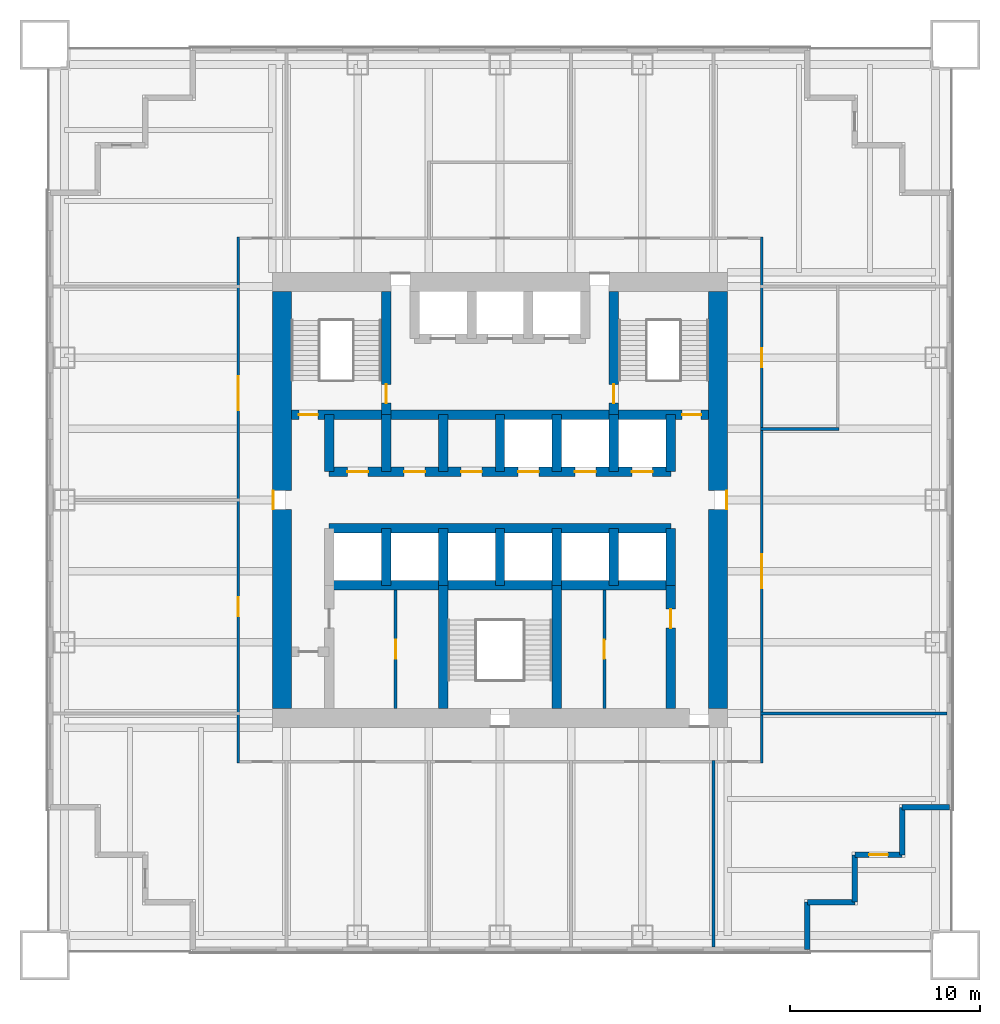
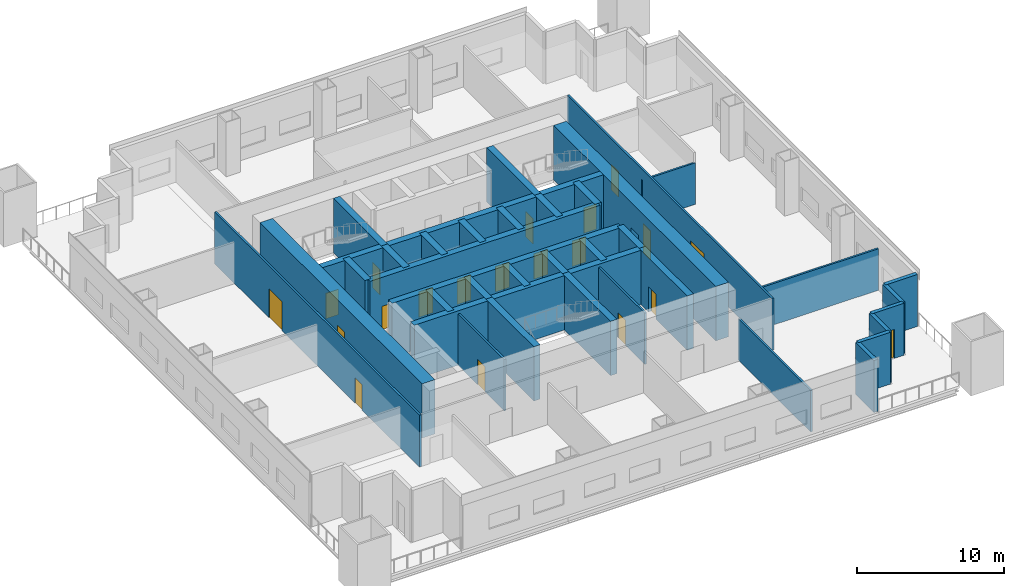
# One storey, part 3 of 7: 37 walls, 20 doors, 20 openings.
"""IFC4 building model written with IfcOpenShell, lengths in metres."""

from ifc_helpers import new_model, si_unit, direction, frame, frame_2d, origin, place, context, subcontext, project, spatial, rectangle, extrude, material, layer, layer_set, type_object, element, fill, save


model = new_model("IFC4")

# Units and contexts
model_context = context("Model", 3, precision=1e-05, world=origin(), true_north=direction((0.0, 1.0)))
body_context = subcontext(model_context, "Body", "Model", "MODEL_VIEW")
ifc_project = project(units=[si_unit("LENGTHUNIT", "METRE"), si_unit("AREAUNIT", "SQUARE_METRE"), si_unit("VOLUMEUNIT", "CUBIC_METRE"), si_unit("PLANEANGLEUNIT", "RADIAN"), si_unit("MASSUNIT", "GRAM", prefix="KILO")], contexts=[model_context])

# Site, building, storey
site_placement = place(None, origin())
site = spatial("IfcSite", under=ifc_project, at=site_placement, CompositionType="ELEMENT")
building_placement = place(site_placement, origin())
building = spatial("IfcBuilding", under=site, at=building_placement, Name="Tarangal Relay Tower", CompositionType="ELEMENT")
storey_placement = place(building_placement, frame((0.0, 0.0, 131.39990234375)))
storey = spatial("IfcBuildingStorey", under=building, at=storey_placement, Name="L26", CompositionType="ELEMENT", Elevation=131.39990234375)

# Wall, openings, doors
ifc_material_1 = material(Name="Concrete fc' 60 MPa", Category="concrete")
ifc_layer_1 = layer(ifc_material_1, 0.5)
ifc_layer_set_1 = layer_set([ifc_layer_1], Name="Core inner wall 500")
wall_type_1 = type_object("IfcWallType", Name="Core inner wall 500", PredefinedType="SHEAR", material=ifc_layer_set_1)
wall_1_placement = place(storey_placement, frame((-11.0, 4.5, 0.0), z_axis=(0.0, 0.0, 1.0), x_axis=(1.0, 0.0, 0.0)))
wall_1 = element("IfcWall", 1, at=wall_1_placement, inside=storey, type_object=wall_type_1, Name="Core wall Y45 L26", PredefinedType="SHEAR", context=body_context, shape_type="SweptSolid", body=[
    extrude(rectangle(XDim=22.0, YDim=0.5, at=frame_2d((11.0, 0.0))), origin(), (0.0, 0.0, 1.0), 4.5),
])
opening_1_placement = place(wall_1_placement, frame((0.39990234375, 0.0, 0.0)))
opening_1 = element("IfcOpeningElement", 2, at=opening_1_placement, cuts=wall_1, Name="Opening FD1", PredefinedType="OPENING", context=body_context, shape_type="SweptSolid", body=[
    extrude(rectangle(XDim=1.0, YDim=2.10009765625, at=frame_2d((0.5, 1.050048828125))), frame((0.0, 0.260009765625, 0.0), z_axis=(0.0, -1.0, 0.0), x_axis=(1.0, 0.0, 0.0)), (0.0, 0.0, 1.0), 0.52001953125),
])
opening_2_placement = place(wall_1_placement, frame((20.60009765625, 0.0, 0.0)))
opening_2 = element("IfcOpeningElement", 3, at=opening_2_placement, cuts=wall_1, Name="Opening FD1", PredefinedType="OPENING", context=body_context, shape_type="SweptSolid", body=[
    extrude(rectangle(XDim=1.0, YDim=2.10009765625, at=frame_2d((0.5, 1.050048828125))), frame((0.0, 0.260009765625, 0.0), z_axis=(0.0, -1.0, 0.0), x_axis=(1.0, 0.0, 0.0)), (0.0, 0.0, 1.0), 0.52001953125),
])
ifc_material_2 = material(Name="Steel door with hardwood frame", Category="steel")
door_type_1 = type_object("IfcDoorType", Name="Fire door 1000 x 2100", OperationType="SINGLE_SWING_LEFT", PredefinedType="DOOR", material=ifc_material_2)
door_1_placement = place(opening_1_placement, origin())
door_1 = element("IfcDoor", 4, at=door_1_placement, inside=storey, type_object=door_type_1, Name="Stair ST-A door from corridor L26", OperationType="SINGLE_SWING_LEFT", OverallHeight=2.10009765625, OverallWidth=1.0, PredefinedType="DOOR", context=body_context, shape_type="SweptSolid", body=[
    extrude(rectangle(XDim=1.0, YDim=2.10009765625, at=frame_2d((0.5, 1.050048828125))), frame((0.0, 0.02490234375, 0.0), z_axis=(0.0, -1.0, 0.0), x_axis=(1.0, 0.0, 0.0)), (0.0, 0.0, 1.0), 0.050048828125),
])
fill(opening_1, door_1)
door_2_placement = place(opening_2_placement, origin())
door_2 = element("IfcDoor", 5, at=door_2_placement, inside=storey, type_object=door_type_1, Name="Stair ST-B door from corridor L26", OperationType="SINGLE_SWING_LEFT", OverallHeight=2.10009765625, OverallWidth=1.0, PredefinedType="DOOR", context=body_context, shape_type="SweptSolid", body=[
    extrude(rectangle(XDim=1.0, YDim=2.10009765625, at=frame_2d((0.5, 1.050048828125))), frame((0.0, 0.02490234375, 0.0), z_axis=(0.0, -1.0, 0.0), x_axis=(1.0, 0.0, 0.0)), (0.0, 0.0, 1.0), 0.050048828125),
])
fill(opening_2, door_2)

wall_2_placement = place(storey_placement, frame((-9.0, 1.5, 0.0), z_axis=(0.0, 0.0, 1.0), x_axis=(1.0, 0.0, 0.0)))
wall_2 = element("IfcWall", 6, at=wall_2_placement, inside=storey, type_object=wall_type_1, Name="Core wall Y15 L26", PredefinedType="SHEAR", context=body_context, shape_type="SweptSolid", body=[
    extrude(rectangle(XDim=18.0, YDim=0.5, at=frame_2d((9.0, 0.0))), origin(), (0.0, 0.0, 1.0), 4.5),
])
opening_3_placement = place(wall_2_placement, frame((9.949951171875, 0.0, 0.0)))
opening_3 = element("IfcOpeningElement", 7, at=opening_3_placement, cuts=wall_2, Name="Opening LD1", PredefinedType="OPENING", context=body_context, shape_type="SweptSolid", body=[
    extrude(rectangle(XDim=1.10009765625, YDim=2.10009765625, at=frame_2d((0.550048828125, 1.050048828125))), frame((0.0, 0.260009765625, 0.0), z_axis=(0.0, -1.0, 0.0), x_axis=(1.0, 0.0, 0.0)), (0.0, 0.0, 1.0), 0.52001953125),
])
opening_4_placement = place(wall_2_placement, frame((12.949951171875, 0.0, 0.0)))
opening_4 = element("IfcOpeningElement", 8, at=opening_4_placement, cuts=wall_2, Name="Opening LD1", PredefinedType="OPENING", context=body_context, shape_type="SweptSolid", body=[
    extrude(rectangle(XDim=1.10009765625, YDim=2.10009765625, at=frame_2d((0.550048828125, 1.050048828125))), frame((0.0, 0.260009765625, 0.0), z_axis=(0.0, -1.0, 0.0), x_axis=(1.0, 0.0, 0.0)), (0.0, 0.0, 1.0), 0.52001953125),
])
opening_5_placement = place(wall_2_placement, frame((15.949951171875, 0.0, 0.0)))
opening_5 = element("IfcOpeningElement", 9, at=opening_5_placement, cuts=wall_2, Name="Opening LD1", PredefinedType="OPENING", context=body_context, shape_type="SweptSolid", body=[
    extrude(rectangle(XDim=1.10009765625, YDim=2.10009765625, at=frame_2d((0.550048828125, 1.050048828125))), frame((0.0, 0.260009765625, 0.0), z_axis=(0.0, -1.0, 0.0), x_axis=(1.0, 0.0, 0.0)), (0.0, 0.0, 1.0), 0.52001953125),
])
opening_6_placement = place(wall_2_placement, frame((0.949951171875, 0.0, 0.0)))
opening_6 = element("IfcOpeningElement", 10, at=opening_6_placement, cuts=wall_2, Name="Opening D4", PredefinedType="OPENING", context=body_context, shape_type="SweptSolid", body=[
    extrude(rectangle(XDim=1.10009765625, YDim=2.10009765625, at=frame_2d((0.550048828125, 1.050048828125))), frame((0.0, 0.260009765625, 0.0), z_axis=(0.0, -1.0, 0.0), x_axis=(1.0, 0.0, 0.0)), (0.0, 0.0, 1.0), 0.52001953125),
])
opening_7_placement = place(wall_2_placement, frame((3.949951171875, 0.0, 0.0)))
opening_7 = element("IfcOpeningElement", 11, at=opening_7_placement, cuts=wall_2, Name="Opening D4", PredefinedType="OPENING", context=body_context, shape_type="SweptSolid", body=[
    extrude(rectangle(XDim=1.10009765625, YDim=2.10009765625, at=frame_2d((0.550048828125, 1.050048828125))), frame((0.0, 0.260009765625, 0.0), z_axis=(0.0, -1.0, 0.0), x_axis=(1.0, 0.0, 0.0)), (0.0, 0.0, 1.0), 0.52001953125),
])
opening_8_placement = place(wall_2_placement, frame((6.949951171875, 0.0, 0.0)))
opening_8 = element("IfcOpeningElement", 12, at=opening_8_placement, cuts=wall_2, Name="Opening D4", PredefinedType="OPENING", context=body_context, shape_type="SweptSolid", body=[
    extrude(rectangle(XDim=1.10009765625, YDim=2.10009765625, at=frame_2d((0.550048828125, 1.050048828125))), frame((0.0, 0.260009765625, 0.0), z_axis=(0.0, -1.0, 0.0), x_axis=(1.0, 0.0, 0.0)), (0.0, 0.0, 1.0), 0.52001953125),
])
door_type_2 = type_object("IfcDoorType", Name="Core room door 1100 x 2100", OperationType="SINGLE_SWING_RIGHT", PredefinedType="DOOR", material=ifc_material_2)
door_3_placement = place(opening_6_placement, origin())
door_3 = element("IfcDoor", 13, at=door_3_placement, inside=storey, type_object=door_type_2, Name="Door D4 to staff wc L26-D1", OperationType="SINGLE_SWING_RIGHT", OverallHeight=2.10009765625, OverallWidth=1.10009765625, PredefinedType="DOOR", context=body_context, shape_type="SweptSolid", body=[
    extrude(rectangle(XDim=1.10009765625, YDim=2.10009765625, at=frame_2d((0.550048828125, 1.050048828125))), frame((0.0, 0.02490234375, 0.0), z_axis=(0.0, -1.0, 0.0), x_axis=(1.0, 0.0, 0.0)), (0.0, 0.0, 1.0), 0.050048828125),
])
fill(opening_6, door_3)
door_4_placement = place(opening_7_placement, origin())
door_4 = element("IfcDoor", 14, at=door_4_placement, inside=storey, type_object=door_type_2, Name="Door D4 to cleaner's store L26-D2", OperationType="SINGLE_SWING_RIGHT", OverallHeight=2.10009765625, OverallWidth=1.10009765625, PredefinedType="DOOR", context=body_context, shape_type="SweptSolid", body=[
    extrude(rectangle(XDim=1.10009765625, YDim=2.10009765625, at=frame_2d((0.550048828125, 1.050048828125))), frame((0.0, 0.02490234375, 0.0), z_axis=(0.0, -1.0, 0.0), x_axis=(1.0, 0.0, 0.0)), (0.0, 0.0, 1.0), 0.050048828125),
])
fill(opening_7, door_4)
door_5_placement = place(opening_8_placement, origin())
door_5 = element("IfcDoor", 15, at=door_5_placement, inside=storey, type_object=door_type_2, Name="Door D4 to it room L26-D3", OperationType="SINGLE_SWING_RIGHT", OverallHeight=2.10009765625, OverallWidth=1.10009765625, PredefinedType="DOOR", context=body_context, shape_type="SweptSolid", body=[
    extrude(rectangle(XDim=1.10009765625, YDim=2.10009765625, at=frame_2d((0.550048828125, 1.050048828125))), frame((0.0, 0.02490234375, 0.0), z_axis=(0.0, -1.0, 0.0), x_axis=(1.0, 0.0, 0.0)), (0.0, 0.0, 1.0), 0.050048828125),
])
fill(opening_8, door_5)
door_type_3 = type_object("IfcDoorType", Name="Lift landing door 1100 x 2100", OperationType="SLIDING_TO_LEFT", PredefinedType="DOOR", material=ifc_material_2)
door_6_placement = place(opening_3_placement, origin())
door_6 = element("IfcDoor", 16, at=door_6_placement, inside=storey, type_object=door_type_3, Name="Lift T1 landing door L26", OperationType="SLIDING_TO_LEFT", OverallHeight=2.10009765625, OverallWidth=1.10009765625, PredefinedType="DOOR", context=body_context, shape_type="SweptSolid", body=[
    extrude(rectangle(XDim=1.10009765625, YDim=2.10009765625, at=frame_2d((0.550048828125, 1.050048828125))), frame((0.0, 0.02490234375, 0.0), z_axis=(0.0, -1.0, 0.0), x_axis=(1.0, 0.0, 0.0)), (0.0, 0.0, 1.0), 0.050048828125),
])
fill(opening_3, door_6)
door_7_placement = place(opening_4_placement, origin())
door_7 = element("IfcDoor", 17, at=door_7_placement, inside=storey, type_object=door_type_3, Name="Lift T2 landing door L26", OperationType="SLIDING_TO_LEFT", OverallHeight=2.10009765625, OverallWidth=1.10009765625, PredefinedType="DOOR", context=body_context, shape_type="SweptSolid", body=[
    extrude(rectangle(XDim=1.10009765625, YDim=2.10009765625, at=frame_2d((0.550048828125, 1.050048828125))), frame((0.0, 0.02490234375, 0.0), z_axis=(0.0, -1.0, 0.0), x_axis=(1.0, 0.0, 0.0)), (0.0, 0.0, 1.0), 0.050048828125),
])
fill(opening_4, door_7)
door_8_placement = place(opening_5_placement, origin())
door_8 = element("IfcDoor", 18, at=door_8_placement, inside=storey, type_object=door_type_3, Name="Lift T3 landing door L26", OperationType="SLIDING_TO_LEFT", OverallHeight=2.10009765625, OverallWidth=1.10009765625, PredefinedType="DOOR", context=body_context, shape_type="SweptSolid", body=[
    extrude(rectangle(XDim=1.10009765625, YDim=2.10009765625, at=frame_2d((0.550048828125, 1.050048828125))), frame((0.0, 0.02490234375, 0.0), z_axis=(0.0, -1.0, 0.0), x_axis=(1.0, 0.0, 0.0)), (0.0, 0.0, 1.0), 0.050048828125),
])
fill(opening_5, door_8)

# Walls
for number, where, z_axis, x_axis, name in (
    (19, (-9.0, -1.5, 0.0), (0.0, 0.0, 1.0), (1.0, 0.0, 0.0), "Core wall YM15 L26"),
    (20, (-9.0, -4.5, 0.0), (0.0, 0.0, 1.0), (1.0, 0.0, 0.0), "Core wall YM45 L26"),
):
    element("IfcWall", number, at=place(storey_placement, frame(where, z_axis=z_axis, x_axis=x_axis)), inside=storey, type_object=wall_type_1, Name=name, PredefinedType="SHEAR", context=body_context, shape_type="SweptSolid", body=[
        extrude(rectangle(XDim=18.0, YDim=0.5, at=frame_2d((9.0, 0.0))), origin(), (0.0, 0.0, 1.0), 4.5),
    ])
for number, where, z_axis, x_axis, name in (
    (21, (-9.0, 1.5, 0.0), (0.0, 0.0, 1.0), (0.0, 1.0, 0.0), "Core wall XM9N L26"),
    (22, (9.0, 1.5, 0.0), (0.0, 0.0, 1.0), (0.0, 1.0, 0.0), "Core wall X9N L26"),
    (23, (9.0, -4.5, 0.0), (0.0, 0.0, 1.0), (0.0, 1.0, 0.0), "Core wall X9S L26"),
    (24, (-6.0, 1.5, 0.0), (0.0, 0.0, 1.0), (0.0, 1.0, 0.0), "Core wall XM6N L26"),
    (25, (-3.0, 1.5, 0.0), (0.0, 0.0, 1.0), (0.0, 1.0, 0.0), "Core wall XM3N L26"),
    (26, (0.0, 1.5, 0.0), (0.0, 0.0, 1.0), (0.0, 1.0, 0.0), "Core wall X0N L26"),
    (27, (3.0, 1.5, 0.0), (0.0, 0.0, 1.0), (0.0, 1.0, 0.0), "Core wall X3N L26"),
    (28, (6.0, 1.5, 0.0), (0.0, 0.0, 1.0), (0.0, 1.0, 0.0), "Core wall X6N L26"),
    (29, (-6.0, -4.5, 0.0), (0.0, 0.0, 1.0), (0.0, 1.0, 0.0), "Core wall XM6S L26"),
    (30, (-3.0, -4.5, 0.0), (0.0, 0.0, 1.0), (0.0, 1.0, 0.0), "Core wall XM3S L26"),
    (31, (0.0, -4.5, 0.0), (0.0, 0.0, 1.0), (0.0, 1.0, 0.0), "Core wall X0S L26"),
    (32, (3.0, -4.5, 0.0), (0.0, 0.0, 1.0), (0.0, 1.0, 0.0), "Core wall X3S L26"),
    (33, (6.0, -4.5, 0.0), (0.0, 0.0, 1.0), (0.0, 1.0, 0.0), "Core wall X6S L26"),
):
    element("IfcWall", number, at=place(storey_placement, frame(where, z_axis=z_axis, x_axis=x_axis)), inside=storey, type_object=wall_type_1, Name=name, PredefinedType="SHEAR", context=body_context, shape_type="SweptSolid", body=[
        extrude(rectangle(XDim=3.0, YDim=0.5, at=frame_2d((1.5, 0.0))), origin(), (0.0, 0.0, 1.0), 4.5),
    ])

# Wall, opening, door
wall_3_placement = place(storey_placement, frame((-6.0, 4.5, 0.0), z_axis=(0.0, 0.0, 1.0), x_axis=(0.0, 1.0, 0.0)))
wall_3 = element("IfcWall", 34, at=wall_3_placement, inside=storey, type_object=wall_type_1, Name="Core wall XM6 L26", PredefinedType="SHEAR", context=body_context, shape_type="SweptSolid", body=[
    extrude(rectangle(XDim=6.5, YDim=0.5, at=frame_2d((3.25, 0.0))), origin(), (0.0, 0.0, 1.0), 4.5),
])
opening_9_placement = place(wall_3_placement, frame((0.60009765625, 0.0, 0.0)))
opening_9 = element("IfcOpeningElement", 35, at=opening_9_placement, cuts=wall_3, Name="Opening FD1", PredefinedType="OPENING", context=body_context, shape_type="SweptSolid", body=[
    extrude(rectangle(XDim=1.0, YDim=2.10009765625, at=frame_2d((0.5, 1.050048828125))), frame((0.0, 0.260009765625, 0.0), z_axis=(0.0, -1.0, 0.0), x_axis=(1.0, 0.0, 0.0)), (0.0, 0.0, 1.0), 0.52001953125),
])
door_9_placement = place(opening_9_placement, origin())
door_9 = element("IfcDoor", 36, at=door_9_placement, inside=storey, type_object=door_type_1, Name="Stair ST-A door from fire-fighting lobby L26", OperationType="SINGLE_SWING_LEFT", OverallHeight=2.10009765625, OverallWidth=1.0, PredefinedType="DOOR", context=body_context, shape_type="SweptSolid", body=[
    extrude(rectangle(XDim=1.0, YDim=2.10009765625, at=frame_2d((0.5, 1.050048828125))), frame((0.0, 0.02490234375, 0.0), z_axis=(0.0, -1.0, 0.0), x_axis=(1.0, 0.0, 0.0)), (0.0, 0.0, 1.0), 0.050048828125),
])
fill(opening_9, door_9)

wall_4_placement = place(storey_placement, frame((6.0, 4.5, 0.0), z_axis=(0.0, 0.0, 1.0), x_axis=(0.0, 1.0, 0.0)))
wall_4 = element("IfcWall", 37, at=wall_4_placement, inside=storey, type_object=wall_type_1, Name="Core wall X6 L26", PredefinedType="SHEAR", context=body_context, shape_type="SweptSolid", body=[
    extrude(rectangle(XDim=6.5, YDim=0.5, at=frame_2d((3.25, 0.0))), origin(), (0.0, 0.0, 1.0), 4.5),
])
opening_10_placement = place(wall_4_placement, frame((0.60009765625, 0.0, 0.0)))
opening_10 = element("IfcOpeningElement", 38, at=opening_10_placement, cuts=wall_4, Name="Opening FD1", PredefinedType="OPENING", context=body_context, shape_type="SweptSolid", body=[
    extrude(rectangle(XDim=1.0, YDim=2.10009765625, at=frame_2d((0.5, 1.050048828125))), frame((0.0, 0.260009765625, 0.0), z_axis=(0.0, -1.0, 0.0), x_axis=(1.0, 0.0, 0.0)), (0.0, 0.0, 1.0), 0.52001953125),
])
door_10_placement = place(opening_10_placement, origin())
door_10 = element("IfcDoor", 39, at=door_10_placement, inside=storey, type_object=door_type_1, Name="Stair ST-B door from fire-fighting lobby L26", OperationType="SINGLE_SWING_LEFT", OverallHeight=2.10009765625, OverallWidth=1.0, PredefinedType="DOOR", context=body_context, shape_type="SweptSolid", body=[
    extrude(rectangle(XDim=1.0, YDim=2.10009765625, at=frame_2d((0.5, 1.050048828125))), frame((0.0, 0.02490234375, 0.0), z_axis=(0.0, -1.0, 0.0), x_axis=(1.0, 0.0, 0.0)), (0.0, 0.0, 1.0), 0.050048828125),
])
fill(opening_10, door_10)

wall_5_placement = place(storey_placement, frame((9.0, -11.0, 0.0), z_axis=(0.0, 0.0, 1.0), x_axis=(0.0, 1.0, 0.0)))
wall_5 = element("IfcWall", 40, at=wall_5_placement, inside=storey, type_object=wall_type_1, Name="Core wall X9W L26", PredefinedType="SHEAR", context=body_context, shape_type="SweptSolid", body=[
    extrude(rectangle(XDim=6.5, YDim=0.5, at=frame_2d((3.25, 0.0))), origin(), (0.0, 0.0, 1.0), 4.5),
])
opening_11_placement = place(wall_5_placement, frame((4.25, 0.0, 0.0)))
opening_11 = element("IfcOpeningElement", 41, at=opening_11_placement, cuts=wall_5, Name="Opening D1", PredefinedType="OPENING", context=body_context, shape_type="SweptSolid", body=[
    extrude(rectangle(XDim=1.0, YDim=2.10009765625, at=frame_2d((0.5, 1.050048828125))), frame((0.0, 0.260009765625, 0.0), z_axis=(0.0, -1.0, 0.0), x_axis=(1.0, 0.0, 0.0)), (0.0, 0.0, 1.0), 0.52001953125),
])
ifc_material_3 = material(Name="Hardwood door", Category="wood")
door_type_4 = type_object("IfcDoorType", Name="WC door 1000 x 2100", OperationType="SINGLE_SWING_LEFT", PredefinedType="DOOR", material=ifc_material_3)
door_11_placement = place(opening_11_placement, origin())
door_11 = element("IfcDoor", 42, at=door_11_placement, inside=storey, type_object=door_type_4, Name="Female WC door L26", OperationType="SINGLE_SWING_LEFT", OverallHeight=2.10009765625, OverallWidth=1.0, PredefinedType="DOOR", context=body_context, shape_type="SweptSolid", body=[
    extrude(rectangle(XDim=1.0, YDim=2.10009765625, at=frame_2d((0.5, 1.050048828125))), frame((0.0, 0.02490234375, 0.0), z_axis=(0.0, -1.0, 0.0), x_axis=(1.0, 0.0, 0.0)), (0.0, 0.0, 1.0), 0.050048828125),
])
fill(opening_11, door_11)

# Walls
for number, where, z_axis, x_axis, name in (
    (43, (-3.0, -11.0, 0.0), (0.0, 0.0, 1.0), (0.0, 1.0, 0.0), "Core wall XM3W L26"),
    (44, (3.0, -11.0, 0.0), (0.0, 0.0, 1.0), (0.0, 1.0, 0.0), "Core wall X3W L26"),
):
    element("IfcWall", number, at=place(storey_placement, frame(where, z_axis=z_axis, x_axis=x_axis)), inside=storey, type_object=wall_type_1, Name=name, PredefinedType="SHEAR", context=body_context, shape_type="SweptSolid", body=[
        extrude(rectangle(XDim=6.5, YDim=0.5, at=frame_2d((3.25, 0.0))), origin(), (0.0, 0.0, 1.0), 4.5),
    ])

# Wall, opening, door
ifc_layer_2 = layer(ifc_material_1, 1.0)
ifc_layer_set_2 = layer_set([ifc_layer_2], Name="Core wall 1000")
wall_type_2 = type_object("IfcWallType", Name="Core wall 1000", PredefinedType="SHEAR", material=ifc_layer_set_2)
wall_6_placement = place(storey_placement, frame((11.5, 11.0, 0.0), z_axis=(0.0, 0.0, 1.0), x_axis=(0.0, -1.0, 0.0)))
wall_6 = element("IfcWall", 45, at=wall_6_placement, inside=storey, type_object=wall_type_2, Name="Core wall E L26", PredefinedType="SHEAR", context=body_context, shape_type="SweptSolid", body=[
    extrude(rectangle(XDim=22.0, YDim=1.0, at=frame_2d((11.0, 0.0))), origin(), (0.0, 0.0, 1.0), 4.5),
])
opening_12_placement = place(wall_6_placement, frame((10.5, 0.0, 0.0)))
opening_12 = element("IfcOpeningElement", 46, at=opening_12_placement, cuts=wall_6, Name="Opening FD3", PredefinedType="OPENING", context=body_context, shape_type="SweptSolid", body=[
    extrude(rectangle(XDim=1.0, YDim=2.39990234375, at=frame_2d((0.5, 1.199951171875))), frame((0.0, 0.510009765625, 0.0), z_axis=(0.0, -1.0, 0.0), x_axis=(1.0, 0.0, 0.0)), (0.0, 0.0, 1.0), 1.02001953125),
])
door_type_5 = type_object("IfcDoorType", Name="Fire door 1000 x 2400 core entry", OperationType="SINGLE_SWING_RIGHT", PredefinedType="DOOR", material=ifc_material_2)
door_12_placement = place(opening_12_placement, origin())
door_12 = element("IfcDoor", 47, at=door_12_placement, inside=storey, type_object=door_type_5, Name="Core entry door east L26", OperationType="SINGLE_SWING_RIGHT", OverallHeight=2.39990234375, OverallWidth=1.0, PredefinedType="DOOR", context=body_context, shape_type="SweptSolid", body=[
    extrude(rectangle(XDim=1.0, YDim=2.39990234375, at=frame_2d((0.5, 1.199951171875))), frame((0.0, 0.48486328125, 0.0), z_axis=(0.0, -1.0, 0.0), x_axis=(1.0, 0.0, 0.0)), (0.0, 0.0, 1.0), 0.050048828125),
])
fill(opening_12, door_12)

wall_7_placement = place(storey_placement, frame((-11.5, -11.0, 0.0), z_axis=(0.0, 0.0, 1.0), x_axis=(0.0, 1.0, 0.0)))
wall_7 = element("IfcWall", 48, at=wall_7_placement, inside=storey, type_object=wall_type_2, Name="Core wall W L26", PredefinedType="SHEAR", context=body_context, shape_type="SweptSolid", body=[
    extrude(rectangle(XDim=22.0, YDim=1.0, at=frame_2d((11.0, 0.0))), origin(), (0.0, 0.0, 1.0), 4.5),
])
opening_13_placement = place(wall_7_placement, frame((10.5, 0.0, 0.0)))
opening_13 = element("IfcOpeningElement", 49, at=opening_13_placement, cuts=wall_7, Name="Opening FD3", PredefinedType="OPENING", context=body_context, shape_type="SweptSolid", body=[
    extrude(rectangle(XDim=1.0, YDim=2.39990234375, at=frame_2d((0.5, 1.199951171875))), frame((0.0, 0.510009765625, 0.0), z_axis=(0.0, -1.0, 0.0), x_axis=(1.0, 0.0, 0.0)), (0.0, 0.0, 1.0), 1.02001953125),
])
door_13_placement = place(opening_13_placement, origin())
door_13 = element("IfcDoor", 50, at=door_13_placement, inside=storey, type_object=door_type_5, Name="Core entry door west L26", OperationType="SINGLE_SWING_RIGHT", OverallHeight=2.39990234375, OverallWidth=1.0, PredefinedType="DOOR", context=body_context, shape_type="SweptSolid", body=[
    extrude(rectangle(XDim=1.0, YDim=2.39990234375, at=frame_2d((0.5, 1.199951171875))), frame((0.0, 0.48486328125, 0.0), z_axis=(0.0, -1.0, 0.0), x_axis=(1.0, 0.0, 0.0)), (0.0, 0.0, 1.0), 0.050048828125),
])
fill(opening_13, door_13)

# Walls
ifc_material_4 = material(Name="Insulated precast concrete fc' 40 MPa", Category="concrete")
ifc_layer_3 = layer(ifc_material_4, 0.300048828125)
ifc_layer_set_3 = layer_set([ifc_layer_3], Name="Insulated precast concrete fc' 40 MPa")
wall_type_3 = type_object("IfcWallType", Name="Facade wall precast 300", PredefinedType="SOLIDWALL", material=ifc_layer_set_3)
for number, where, z_axis, x_axis, name in (
    (51, (23.699951171875, -16.199951171875, 0.0), (0.0, 0.0, 1.0), (-1.0, 0.0, 0.0), "Facade wall E facade L26"),
    (52, (21.199951171875, -16.199951171875, 0.0), (0.0, 0.0, 1.0), (0.0, -1.0, 0.0), "Facade wall E facade L26"),
):
    element("IfcWall", number, at=place(storey_placement, frame(where, z_axis=z_axis, x_axis=x_axis)), inside=storey, type_object=wall_type_3, Name=name, PredefinedType="SOLIDWALL", context=body_context, shape_type="SweptSolid", body=[
        extrude(rectangle(XDim=2.5, YDim=0.300048828125, at=frame_2d((1.25, 0.0))), origin(), (0.0, 0.0, 1.0), 4.300048828125),
    ])

# Wall, opening, door
wall_8_placement = place(storey_placement, frame((21.199951171875, -18.699951171875, 0.0), z_axis=(0.0, 0.0, 1.0), x_axis=(-1.0, 0.0, 0.0)))
wall_8 = element("IfcWall", 53, at=wall_8_placement, inside=storey, type_object=wall_type_3, Name="Facade wall E facade L26", PredefinedType="SOLIDWALL", context=body_context, shape_type="SweptSolid", body=[
    extrude(rectangle(XDim=2.5, YDim=0.300048828125, at=frame_2d((1.25, 0.0))), origin(), (0.0, 0.0, 1.0), 4.300048828125),
])
opening_14_placement = place(wall_8_placement, frame((0.75, 0.0, 0.0)))
opening_14 = element("IfcOpeningElement", 54, at=opening_14_placement, cuts=wall_8, Name="Opening TD1", PredefinedType="OPENING", context=body_context, shape_type="SweptSolid", body=[
    extrude(rectangle(XDim=1.0, YDim=2.39990234375, at=frame_2d((0.5, 1.199951171875))), frame((0.0, 0.159912109375, 0.0), z_axis=(0.0, -1.0, 0.0), x_axis=(1.0, 0.0, 0.0)), (0.0, 0.0, 1.0), 0.320068359375),
])
ifc_material_5 = material(Name="Aluminium glazed door", Category="aluminium")
door_type_6 = type_object("IfcDoorType", Name="Terrace door 1000 x 2400", OperationType="SINGLE_SWING_RIGHT", PredefinedType="DOOR", material=ifc_material_5)
door_14_placement = place(opening_14_placement, origin())
door_14 = element("IfcDoor", 55, at=door_14_placement, inside=storey, type_object=door_type_6, Name="Terrace door TD1 SE L26", OperationType="SINGLE_SWING_RIGHT", OverallHeight=2.39990234375, OverallWidth=1.0, PredefinedType="DOOR", context=body_context, shape_type="SweptSolid", body=[
    extrude(rectangle(XDim=1.0, YDim=2.39990234375, at=frame_2d((0.5, 1.199951171875))), frame((0.0, 0.02490234375, 0.0), z_axis=(0.0, -1.0, 0.0), x_axis=(1.0, 0.0, 0.0)), (0.0, 0.0, 1.0), 0.050048828125),
])
fill(opening_14, door_14)

# Walls
for number, where, z_axis, x_axis, name in (
    (56, (18.699951171875, -18.699951171875, 0.0), (0.0, 0.0, 1.0), (0.0, -1.0, 0.0), "Facade wall E facade L26"),
    (57, (18.699951171875, -21.199951171875, 0.0), (0.0, 0.0, 1.0), (-1.0, 0.0, 0.0), "Facade wall E facade L26"),
    (58, (16.199951171875, -21.199951171875, 0.0), (0.0, 0.0, 1.0), (0.0, -1.0, 0.0), "Facade wall E facade L26"),
):
    element("IfcWall", number, at=place(storey_placement, frame(where, z_axis=z_axis, x_axis=x_axis)), inside=storey, type_object=wall_type_3, Name=name, PredefinedType="SOLIDWALL", context=body_context, shape_type="SweptSolid", body=[
        extrude(rectangle(XDim=2.5, YDim=0.300048828125, at=frame_2d((1.25, 0.0))), origin(), (0.0, 0.0, 1.0), 4.300048828125),
    ])
ifc_material_6 = material(Name="Gypsum board on steel studs", Category="steel")
ifc_layer_4 = layer(ifc_material_6, 0.14990234375)
ifc_layer_set_4 = layer_set([ifc_layer_4], Name="Partition 150")
wall_type_4 = type_object("IfcWallType", Name="Partition 150", PredefinedType="PARTITIONING", material=ifc_layer_set_4)
wall_9_placement = place(storey_placement, frame((13.72509765625, -11.25, 0.0), z_axis=(0.0, 0.0, 1.0), x_axis=(1.0, 0.0, 0.0)))
element("IfcWall", 59, at=wall_9_placement, inside=storey, type_object=wall_type_4, Name="Partition PT1 L26", PredefinedType="PARTITIONING", context=body_context, shape_type="SweptSolid", body=[
    extrude(rectangle(XDim=9.824951171875, YDim=0.14990234375, at=frame_2d((4.91259765625, 0.0))), origin(), (0.0, 0.0, 1.0), 3.431396484375),
])
wall_10_placement = place(storey_placement, frame((13.72509765625, 3.75, 0.0), z_axis=(0.0, 0.0, 1.0), x_axis=(1.0, 0.0, 0.0)))
element("IfcWall", 60, at=wall_10_placement, inside=storey, type_object=wall_type_4, Name="Partition PT1 L26", PredefinedType="PARTITIONING", context=body_context, shape_type="SweptSolid", body=[
    extrude(rectangle(XDim=4.14990234375, YDim=0.14990234375, at=frame_2d((2.074951171875, 0.0))), origin(), (0.0, 0.0, 1.0), 3.431396484375),
])

# Wall, openings, doors
wall_11_placement = place(storey_placement, frame((-13.800048828125, -13.875, 0.0), z_axis=(0.0, 0.0, 1.0), x_axis=(0.0, 1.0, 0.0)))
wall_11 = element("IfcWall", 61, at=wall_11_placement, inside=storey, type_object=wall_type_4, Name="Partition PT1 L26", PredefinedType="PARTITIONING", context=body_context, shape_type="SweptSolid", body=[
    extrude(rectangle(XDim=27.75, YDim=0.14990234375, at=frame_2d((13.875, 0.0))), origin(), (0.0, 0.0, 1.0), 4.300048828125),
])
opening_15_placement = place(wall_11_placement, frame((7.75, 0.0, 0.0)))
opening_15 = element("IfcOpeningElement", 62, at=opening_15_placement, cuts=wall_11, Name="Opening D2", PredefinedType="OPENING", context=body_context, shape_type="SweptSolid", body=[
    extrude(rectangle(XDim=1.0, YDim=2.10009765625, at=frame_2d((0.5, 1.050048828125))), frame((0.0, 0.0849609375, 0.0), z_axis=(0.0, -1.0, 0.0), x_axis=(1.0, 0.0, 0.0)), (0.0, 0.0, 1.0), 0.169921875),
])
opening_16_placement = place(wall_11_placement, frame((18.60009765625, 0.0, 0.0)))
opening_16 = element("IfcOpeningElement", 63, at=opening_16_placement, cuts=wall_11, Name="Opening DD1", PredefinedType="OPENING", context=body_context, shape_type="SweptSolid", body=[
    extrude(rectangle(XDim=1.800048828125, YDim=2.39990234375, at=frame_2d((0.89990234375, 1.199951171875))), frame((0.0, 0.0849609375, 0.0), z_axis=(0.0, -1.0, 0.0), x_axis=(1.0, 0.0, 0.0)), (0.0, 0.0, 1.0), 0.169921875),
])
door_type_7 = type_object("IfcDoorType", Name="Door 1000 x 2100", OperationType="SINGLE_SWING_LEFT", PredefinedType="DOOR", material=ifc_material_3)
door_15_placement = place(opening_15_placement, origin())
door_15 = element("IfcDoor", 64, at=door_15_placement, inside=storey, type_object=door_type_7, Name="Door D2 to test lab L26-10", OperationType="SINGLE_SWING_LEFT", OverallHeight=2.10009765625, OverallWidth=1.0, PredefinedType="DOOR", context=body_context, shape_type="SweptSolid", body=[
    extrude(rectangle(XDim=1.0, YDim=2.10009765625, at=frame_2d((0.5, 1.050048828125))), frame((0.0, 0.02490234375, 0.0), z_axis=(0.0, -1.0, 0.0), x_axis=(1.0, 0.0, 0.0)), (0.0, 0.0, 1.0), 0.050048828125),
])
fill(opening_15, door_15)
door_type_8 = type_object("IfcDoorType", Name="Equipment double door 1800 x 2400", OperationType="DOUBLE_DOOR_SINGLE_SWING", PredefinedType="DOOR", material=ifc_material_2)
door_16_placement = place(opening_16_placement, origin())
door_16 = element("IfcDoor", 65, at=door_16_placement, inside=storey, type_object=door_type_8, Name="Door DD1 to telecom equipment room L26-11", OperationType="DOUBLE_DOOR_SINGLE_SWING", OverallHeight=2.39990234375, OverallWidth=1.800048828125, PredefinedType="DOOR", context=body_context, shape_type="SweptSolid", body=[
    extrude(rectangle(XDim=1.800048828125, YDim=2.39990234375, at=frame_2d((0.89990234375, 1.199951171875))), frame((0.0, 0.02490234375, 0.0), z_axis=(0.0, -1.0, 0.0), x_axis=(1.0, 0.0, 0.0)), (0.0, 0.0, 1.0), 0.050048828125),
])
fill(opening_16, door_16)

# Wall
wall_12_placement = place(storey_placement, frame((11.25, -23.550048828125, 0.0), z_axis=(0.0, 0.0, 1.0), x_axis=(0.0, 1.0, 0.0)))
element("IfcWall", 66, at=wall_12_placement, inside=storey, type_object=wall_type_4, Name="Partition PT1 L26", PredefinedType="PARTITIONING", context=body_context, shape_type="SweptSolid", body=[
    extrude(rectangle(XDim=9.824951171875, YDim=0.14990234375, at=frame_2d((4.91259765625, 0.0))), origin(), (0.0, 0.0, 1.0), 3.431396484375),
])

# Wall, openings, doors
wall_13_placement = place(storey_placement, frame((13.800048828125, -13.875, 0.0), z_axis=(0.0, 0.0, 1.0), x_axis=(0.0, 1.0, 0.0)))
wall_13 = element("IfcWall", 67, at=wall_13_placement, inside=storey, type_object=wall_type_4, Name="Partition PT1 L26", PredefinedType="PARTITIONING", context=body_context, shape_type="SweptSolid", body=[
    extrude(rectangle(XDim=27.75, YDim=0.14990234375, at=frame_2d((13.875, 0.0))), origin(), (0.0, 0.0, 1.0), 4.300048828125),
])
opening_17_placement = place(wall_13_placement, frame((20.875, 0.0, 0.0)))
opening_17 = element("IfcOpeningElement", 68, at=opening_17_placement, cuts=wall_13, Name="Opening D2", PredefinedType="OPENING", context=body_context, shape_type="SweptSolid", body=[
    extrude(rectangle(XDim=1.0, YDim=2.10009765625, at=frame_2d((0.5, 1.050048828125))), frame((0.0, 0.0849609375, 0.0), z_axis=(0.0, -1.0, 0.0), x_axis=(1.0, 0.0, 0.0)), (0.0, 0.0, 1.0), 0.169921875),
])
opening_18_placement = place(wall_13_placement, frame((9.22509765625, 0.0, 0.0)))
opening_18 = element("IfcOpeningElement", 69, at=opening_18_placement, cuts=wall_13, Name="Opening DD1", PredefinedType="OPENING", context=body_context, shape_type="SweptSolid", body=[
    extrude(rectangle(XDim=1.800048828125, YDim=2.39990234375, at=frame_2d((0.89990234375, 1.199951171875))), frame((0.0, 0.0849609375, 0.0), z_axis=(0.0, -1.0, 0.0), x_axis=(1.0, 0.0, 0.0)), (0.0, 0.0, 1.0), 0.169921875),
])
door_17_placement = place(opening_17_placement, origin())
door_17 = element("IfcDoor", 70, at=door_17_placement, inside=storey, type_object=door_type_7, Name="Door D2 to carrier meeting room L26-05", OperationType="SINGLE_SWING_LEFT", OverallHeight=2.10009765625, OverallWidth=1.0, PredefinedType="DOOR", context=body_context, shape_type="SweptSolid", body=[
    extrude(rectangle(XDim=1.0, YDim=2.10009765625, at=frame_2d((0.5, 1.050048828125))), frame((0.0, 0.02490234375, 0.0), z_axis=(0.0, -1.0, 0.0), x_axis=(1.0, 0.0, 0.0)), (0.0, 0.0, 1.0), 0.050048828125),
])
fill(opening_17, door_17)
door_18_placement = place(opening_18_placement, origin())
door_18 = element("IfcDoor", 71, at=door_18_placement, inside=storey, type_object=door_type_8, Name="Door DD1 to carrier equipment room L26-06", OperationType="DOUBLE_DOOR_SINGLE_SWING", OverallHeight=2.39990234375, OverallWidth=1.800048828125, PredefinedType="DOOR", context=body_context, shape_type="SweptSolid", body=[
    extrude(rectangle(XDim=1.800048828125, YDim=2.39990234375, at=frame_2d((0.89990234375, 1.199951171875))), frame((0.0, 0.02490234375, 0.0), z_axis=(0.0, -1.0, 0.0), x_axis=(1.0, 0.0, 0.0)), (0.0, 0.0, 1.0), 0.050048828125),
])
fill(opening_18, door_18)

# Wall, opening, door
wall_14_placement = place(storey_placement, frame((-5.5, -11.0, 0.0), z_axis=(0.0, 0.0, 1.0), x_axis=(0.0, 1.0, 0.0)))
wall_14 = element("IfcWall", 72, at=wall_14_placement, inside=storey, type_object=wall_type_4, Name="Partition PT1 L26", PredefinedType="PARTITIONING", context=body_context, shape_type="SweptSolid", body=[
    extrude(rectangle(XDim=6.25, YDim=0.14990234375, at=frame_2d((3.125, 0.0))), origin(), (0.0, 0.0, 1.0), 4.25),
])
opening_19_placement = place(wall_14_placement, frame((2.625, 0.0, 0.0)))
opening_19 = element("IfcOpeningElement", 73, at=opening_19_placement, cuts=wall_14, Name="Opening D1", PredefinedType="OPENING", context=body_context, shape_type="SweptSolid", body=[
    extrude(rectangle(XDim=1.0, YDim=2.10009765625, at=frame_2d((0.5, 1.050048828125))), frame((0.0, 0.0849609375, 0.0), z_axis=(0.0, -1.0, 0.0), x_axis=(1.0, 0.0, 0.0)), (0.0, 0.0, 1.0), 0.169921875),
])
door_19_placement = place(opening_19_placement, origin())
door_19 = element("IfcDoor", 74, at=door_19_placement, inside=storey, type_object=door_type_4, Name="Door D1 to male shower and changing room L26-C7B", OperationType="SINGLE_SWING_LEFT", OverallHeight=2.10009765625, OverallWidth=1.0, PredefinedType="DOOR", context=body_context, shape_type="SweptSolid", body=[
    extrude(rectangle(XDim=1.0, YDim=2.10009765625, at=frame_2d((0.5, 1.050048828125))), frame((0.0, 0.02490234375, 0.0), z_axis=(0.0, -1.0, 0.0), x_axis=(1.0, 0.0, 0.0)), (0.0, 0.0, 1.0), 0.050048828125),
])
fill(opening_19, door_19)

wall_15_placement = place(storey_placement, frame((5.5, -11.0, 0.0), z_axis=(0.0, 0.0, 1.0), x_axis=(0.0, 1.0, 0.0)))
wall_15 = element("IfcWall", 75, at=wall_15_placement, inside=storey, type_object=wall_type_4, Name="Partition PT1 L26", PredefinedType="PARTITIONING", context=body_context, shape_type="SweptSolid", body=[
    extrude(rectangle(XDim=6.25, YDim=0.14990234375, at=frame_2d((3.125, 0.0))), origin(), (0.0, 0.0, 1.0), 4.25),
])
opening_20_placement = place(wall_15_placement, frame((2.625, 0.0, 0.0)))
opening_20 = element("IfcOpeningElement", 76, at=opening_20_placement, cuts=wall_15, Name="Opening D1", PredefinedType="OPENING", context=body_context, shape_type="SweptSolid", body=[
    extrude(rectangle(XDim=1.0, YDim=2.10009765625, at=frame_2d((0.5, 1.050048828125))), frame((0.0, 0.0849609375, 0.0), z_axis=(0.0, -1.0, 0.0), x_axis=(1.0, 0.0, 0.0)), (0.0, 0.0, 1.0), 0.169921875),
])
door_20_placement = place(opening_20_placement, origin())
door_20 = element("IfcDoor", 77, at=door_20_placement, inside=storey, type_object=door_type_4, Name="Door D1 to female shower and changing room L26-C10B", OperationType="SINGLE_SWING_LEFT", OverallHeight=2.10009765625, OverallWidth=1.0, PredefinedType="DOOR", context=body_context, shape_type="SweptSolid", body=[
    extrude(rectangle(XDim=1.0, YDim=2.10009765625, at=frame_2d((0.5, 1.050048828125))), frame((0.0, 0.02490234375, 0.0), z_axis=(0.0, -1.0, 0.0), x_axis=(1.0, 0.0, 0.0)), (0.0, 0.0, 1.0), 0.050048828125),
])
fill(opening_20, door_20)

save(model, "model.ifc")
